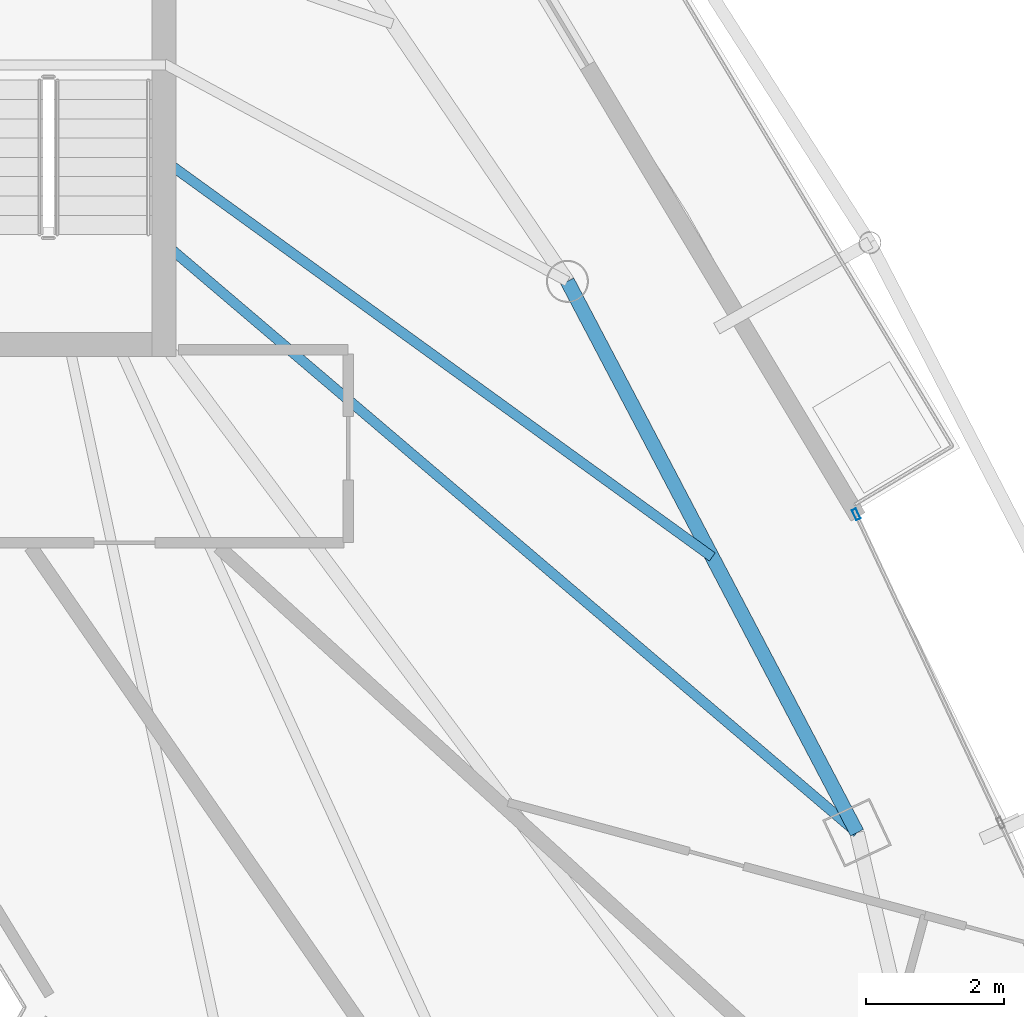
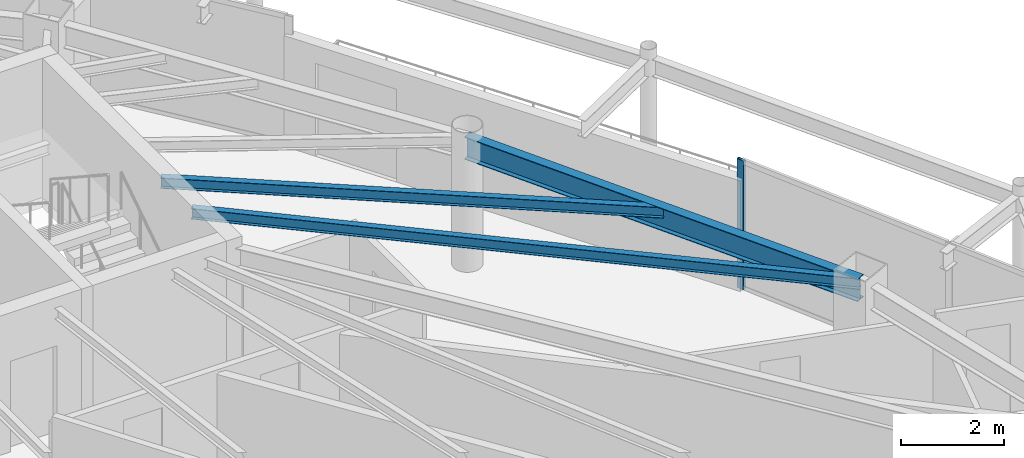
# One storey, part 18 of 30: 3 beams, 1 member, 1 element without a shape of its own.
"""IFC4 building model written with IfcOpenShell, lengths in metres."""

from ifc_helpers import new_model, si_unit, direction, frame, origin, origin_2d, place, context, subcontext, project, spatial, hollow_rectangle, i_section, extrude, material, layer, layer_set, material_profile, profile_set, type_object, element, aggregate, save


model = new_model("IFC4")

# Units and contexts
model_context = context("Model", 3, precision=1e-05, world=origin(), true_north=direction((0.0, 1.0)))
body_context = subcontext(model_context, "Body", "Model", "MODEL_VIEW")
ifc_project = project(units=[si_unit("LENGTHUNIT", "METRE"), si_unit("AREAUNIT", "SQUARE_METRE"), si_unit("VOLUMEUNIT", "CUBIC_METRE"), si_unit("PLANEANGLEUNIT", "RADIAN"), si_unit("MASSUNIT", "GRAM", prefix="KILO")], contexts=[model_context])

# Site, building, storey
site_placement = place(None, origin())
site = spatial("IfcSite", under=ifc_project, at=site_placement, CompositionType="ELEMENT")
building_placement = place(site_placement, origin())
building = spatial("IfcBuilding", under=site, at=building_placement, Name="Orvanel Arch Residences", CompositionType="ELEMENT")
storey_placement = place(building_placement, frame((0.0, 0.0, 229.39990234375)))
storey = spatial("IfcBuildingStorey", under=building, at=storey_placement, Name="L65", CompositionType="ELEMENT", Elevation=229.39990234375)

# Beams
ifc_material_1 = material(Name="Structural steel AS/NZS 3679.1 Grade 300 (300 MPa)", Category="steel")
ifc_material_profile_1 = material_profile(ifc_material_1, i_section(OverallWidth=0.14599609375, OverallDepth=0.251953125, WebThickness=0.006103515625, FlangeThickness=0.008544921875, at=origin_2d()), Name="250UB31.4")
ifc_profile_set_1 = profile_set([ifc_material_profile_1], Name="Structural steel AS/NZS 3679.1 Grade 300 (300 MPa)")
beam_type_1 = type_object("IfcBeamType", Name="BJ-250UB", PredefinedType="JOIST", material=ifc_profile_set_1)
beam_1_placement = place(storey_placement, frame((39.574951171875, 28.199951171875, 2.93408203125), z_axis=(0.761622669031, -0.64802076357, 0.0), x_axis=(0.64802076357, 0.761622669031, 0.0)))
element("IfcBeam", 1, at=beam_1_placement, inside=storey, type_object=beam_type_1, Name="L65 E Wing Floor Joist", PredefinedType="JOIST", context=body_context, shape_type="SweptSolid", body=[
    extrude(i_section(OverallWidth=0.14599609375, OverallDepth=0.251953125, WebThickness=0.006103515625, FlangeThickness=0.008544921875, at=origin_2d()), origin(), (0.0, 0.0, 1.0), 13.2060546875),
])
beam_2_placement = place(storey_placement, frame((39.574951171875, 29.39990234375, 2.93408203125), z_axis=(0.810144032972, -0.586230881002, 0.0), x_axis=(0.586230881002, 0.810144032972, 0.0)))
element("IfcBeam", 2, at=beam_2_placement, inside=storey, type_object=beam_type_1, Name="L65 CTE Wing Floor Joist", PredefinedType="JOIST", context=body_context, shape_type="SweptSolid", body=[
    extrude(i_section(OverallWidth=0.14599609375, OverallDepth=0.251953125, WebThickness=0.006103515625, FlangeThickness=0.008544921875, at=origin_2d()), origin(), (0.0, 0.0, 1.0), 9.82177734375),
])

# Curtain wall, member
ifc_material_2 = material(Name="Bronze-anodised aluminium AA6063-T6", Category="aluminium")
ifc_layer = layer(ifc_material_2, 0.175048828125)
ifc_layer_set = layer_set([ifc_layer], Name="Bronze-anodised aluminium AA6063-T6")
curtain_wall_type = type_object("IfcCurtainWallType", Name="CW4-HI-SYS", PredefinedType="NOTDEFINED", material=ifc_layer_set)
curtain_wall_placement = place(storey_placement, origin())
curtain_wall = element("IfcCurtainWall", 3, at=curtain_wall_placement, inside=storey, type_object=curtain_wall_type, Name="L65 CW4-HI-SYS Unitised Curtain Wall", PredefinedType="NOTDEFINED")
ifc_material_profile_2 = material_profile(ifc_material_2, hollow_rectangle(XDim=0.06494140625, YDim=0.159912109375, WallThickness=0.00390625, at=origin_2d()), Name="ALU160x65x4")
ifc_profile_set_2 = profile_set([ifc_material_profile_2], Name="Bronze-anodised aluminium AA6063-T6")
member_type = type_object("IfcMemberType", Name="MUL-160x65", PredefinedType="MULLION", material=ifc_profile_set_2)
member_placement = place(storey_placement, frame((49.619873046875, 24.260498046875, 0.0), z_axis=(0.0, 0.0, 1.0), x_axis=(-0.905705004304, -0.423908533978, 0.0)))
member = element("IfcMember", 4, at=member_placement, type_object=member_type, Name="CW-S4 mullion 3", PredefinedType="MULLION", context=body_context, shape_type="SweptSolid", body=[
    extrude(hollow_rectangle(XDim=0.06494140625, YDim=0.159912109375, WallThickness=0.00390625, at=origin_2d()), origin(), (0.0, 0.0, 1.0), 3.06005859375),
])
aggregate(curtain_wall, [member])

# Beam
ifc_material_profile_3 = material_profile(ifc_material_1, i_section(OverallWidth=0.208984375, OverallDepth=0.532958984375, WebThickness=0.01025390625, FlangeThickness=0.015625, at=origin_2d()), Name="530UB92.4")
ifc_profile_set_3 = profile_set([ifc_material_profile_3], Name="Structural steel AS/NZS 3679.1 Grade 300 (300 MPa)")
beam_type_2 = type_object("IfcBeamType", Name="SP-530UB", PredefinedType="SPANDREL", material=ifc_profile_set_3)
beam_3_placement = place(storey_placement, frame((49.633056640625, 19.64208984375, 2.794189453125), z_axis=(-0.465064762793, 0.885276660942, 0.0), x_axis=(-0.885276660942, -0.465064762793, 0.0)))
element("IfcBeam", 5, at=beam_3_placement, inside=storey, type_object=beam_type_2, Name="L65 Perimeter Spandrel Beam 07", PredefinedType="SPANDREL", context=body_context, shape_type="SweptSolid", body=[
    extrude(i_section(OverallWidth=0.208984375, OverallDepth=0.532958984375, WebThickness=0.01025390625, FlangeThickness=0.015625, at=origin_2d()), origin(), (0.0, 0.0, 1.0), 9.03564453125),
])

save(model, "model.ifc")
